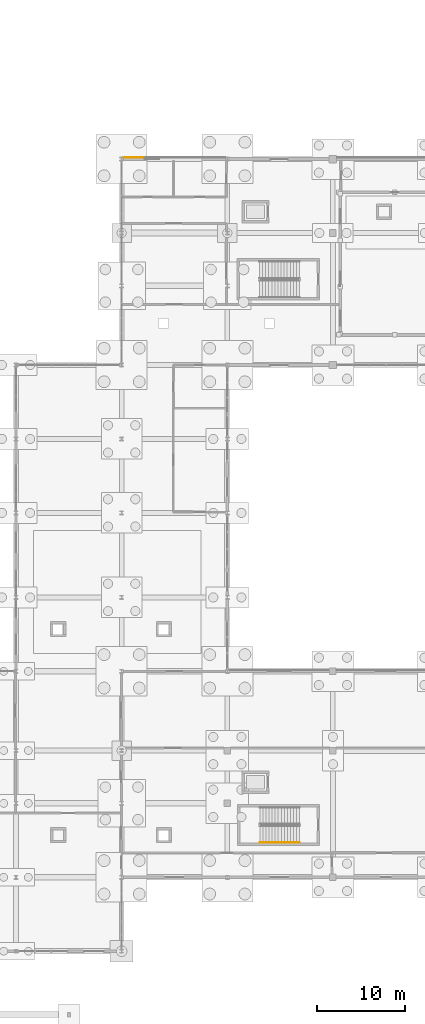
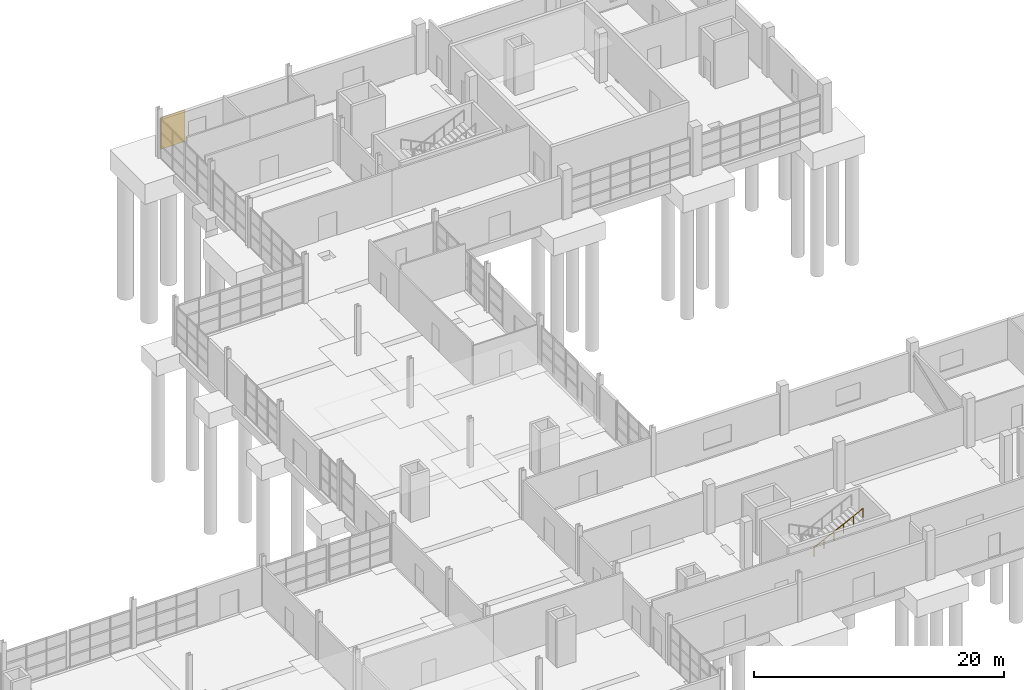
# One storey, part 77 of 82: 1 covering, 1 railing.
"""IFC4 building model written with IfcOpenShell, lengths in metres."""

from ifc_helpers import new_model, si_unit, direction, frame, origin, origin_2d, place, context, subcontext, project, spatial, rectangle, circle, extrude, material, layer, layer_set, type_object, element, save


model = new_model("IFC4")

# Units and contexts
model_context = context("Model", 3, precision=1e-05, world=origin(), true_north=direction((0.0, 1.0)))
body_context = subcontext(model_context, "Body", "Model", "MODEL_VIEW")
ifc_project = project(units=[si_unit("LENGTHUNIT", "METRE"), si_unit("AREAUNIT", "SQUARE_METRE"), si_unit("VOLUMEUNIT", "CUBIC_METRE"), si_unit("PLANEANGLEUNIT", "RADIAN"), si_unit("MASSUNIT", "GRAM", prefix="KILO")], contexts=[model_context])

# Site, building, storey
site_placement = place(None, origin())
site = spatial("IfcSite", under=ifc_project, at=site_placement, CompositionType="ELEMENT")
building_placement = place(site_placement, origin())
building = spatial("IfcBuilding", under=site, at=building_placement, Name="Kelmvaro Bay Concert Hall", CompositionType="ELEMENT")
storey_placement = place(building_placement, origin())
storey = spatial("IfcBuildingStorey", under=building, at=storey_placement, Name="L00", CompositionType="ELEMENT", Elevation=0.0)

# Covering
ifc_material_1 = material(Name="Honed Florida Limestone Travertine", Category="masonry")
ifc_layer = layer(ifc_material_1, 0.054931640625)
ifc_layer_set = layer_set([ifc_layer], Name="Honed Florida Limestone Travertine")
covering_type = type_object("IfcCoveringType", Name="Honed Florida Travertine Rainscreen Cladding 55", PredefinedType="CLADDING", material=ifc_layer_set)
covering_placement = place(storey_placement, frame((121.40185546875, 97.385498046875, 0.52001953125), z_axis=(0.0, 0.0, 1.0), x_axis=(1.0, 0.0, 0.0)))
element("IfcCovering", 1, at=covering_placement, inside=storey, type_object=covering_type, Name="L00 Travertine Pier Panel 0304", PredefinedType="CLADDING", context=body_context, shape_type="SweptSolid", body=[
    extrude(rectangle(XDim=2.242919921875, YDim=0.054931640625, at=origin_2d()), origin(), (0.0, 0.0, 1.0), 3.090087890625),
])

# Railing
ifc_material_2 = material(Name="Brushed Stainless Steel 316", Category="steel")
railing_type = type_object("IfcRailingType", Name="Stair Stainless Wall Handrail 900", PredefinedType="HANDRAIL", material=ifc_material_2)
railing_placement = place(storey_placement, frame((135.696044921875, 19.5400390625, 2.571533203125)))
element("IfcRailing", 2, at=railing_placement, inside=storey, type_object=railing_type, Name="L00 ST-05 stair handrail 2", PredefinedType="HANDRAIL", context=body_context, shape_type="SweptSolid", body=[
    extrude(circle(Radius=0.02392578125, at=origin_2d()), frame((0.0, 0.0, 0.8759765625), z_axis=(0.897064401264, 0.0, 0.441899830261), x_axis=(0.0, 1.0, 0.0)), (0.0, 0.0, 1.0), 5.04296875),
    extrude(circle(Radius=0.02099609375, at=origin_2d()), origin(), (0.0, 0.0, 1.0), 0.851806640625),
    extrude(circle(Radius=0.02099609375, at=origin_2d()), frame((0.90478515625, 0.0, 0.44580078125)), (0.0, 0.0, 1.0), 0.851806640625),
    extrude(circle(Radius=0.02099609375, at=origin_2d()), frame((1.8095703125, 0.0, 0.891357421875)), (0.0, 0.0, 1.0), 0.851806640625),
    extrude(circle(Radius=0.02099609375, at=origin_2d()), frame((2.71435546875, 0.0, 1.337158203125)), (0.0, 0.0, 1.0), 0.851806640625),
    extrude(circle(Radius=0.02099609375, at=origin_2d()), frame((3.619140625, 0.0, 1.78271484375)), (0.0, 0.0, 1.0), 0.851806640625),
    extrude(circle(Radius=0.02099609375, at=origin_2d()), frame((4.52392578125, 0.0, 2.228515625)), (0.0, 0.0, 1.0), 0.851806640625),
])

save(model, "model.ifc")
